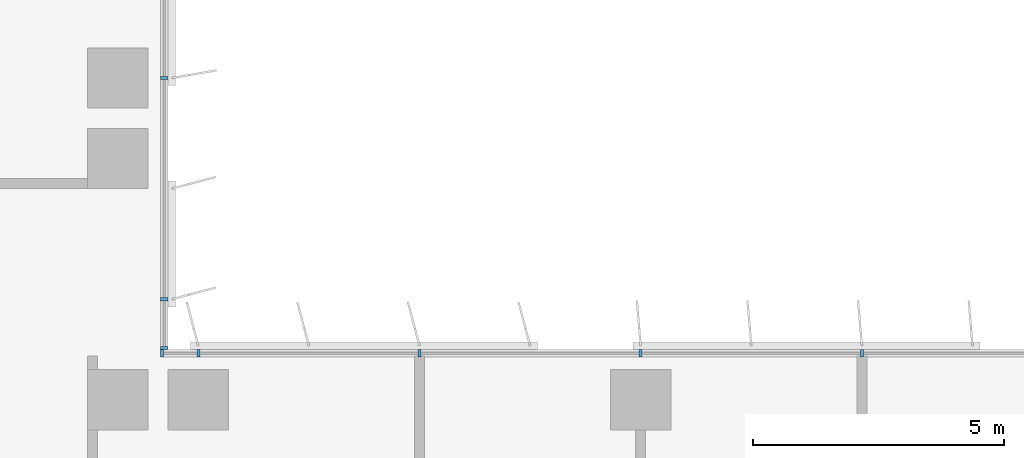
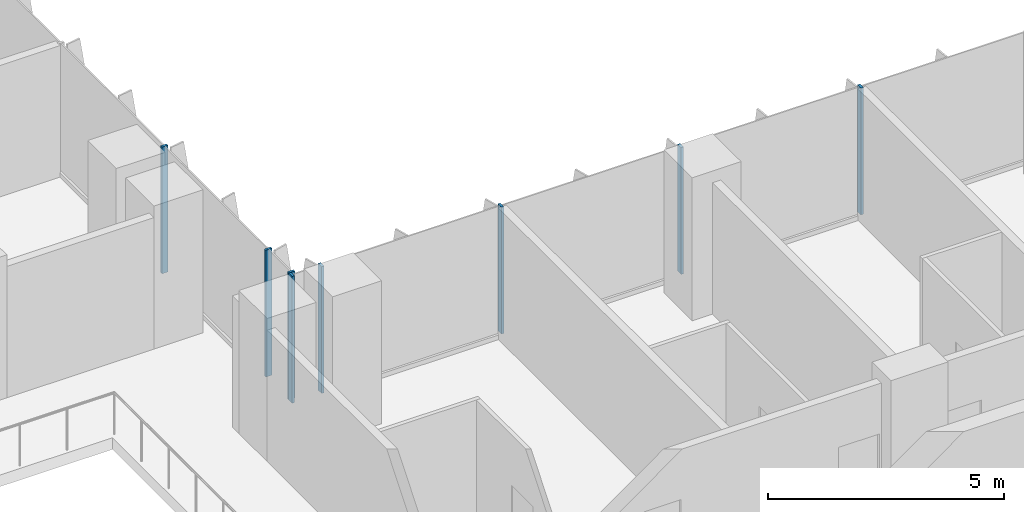
# One storey, part 2 of 22: 8 members, 2 elements without a shape of their own.
"""IFC4 building model written with IfcOpenShell, lengths in metres."""

from ifc_helpers import new_model, si_unit, direction, frame, origin, origin_2d, place, context, subcontext, project, spatial, rectangle, extrude, source, transform, mapped, material, material_profile, profile_set, type_object, element, aggregate, save


model = new_model("IFC4")

# Units and contexts
model_context = context("Model", 3, precision=1e-05, world=origin(), true_north=direction((0.0, 1.0)))
body_context = subcontext(model_context, "Body", "Model", "MODEL_VIEW")
ifc_project = project(units=[si_unit("LENGTHUNIT", "METRE"), si_unit("AREAUNIT", "SQUARE_METRE"), si_unit("VOLUMEUNIT", "CUBIC_METRE"), si_unit("PLANEANGLEUNIT", "RADIAN"), si_unit("MASSUNIT", "GRAM", prefix="KILO")], contexts=[model_context])

# Site, building, storey
site_placement = place(None, origin())
site = spatial("IfcSite", under=ifc_project, at=site_placement, CompositionType="ELEMENT")
building_placement = place(site_placement, origin())
building = spatial("IfcBuilding", under=site, at=building_placement, Name="Kemantara Hotel Tower", CompositionType="ELEMENT")
storey_placement = place(building_placement, frame((0.0, 0.0, 107.39990234375)))
storey = spatial("IfcBuildingStorey", under=building, at=storey_placement, Name="L25", CompositionType="ELEMENT", Elevation=107.39990234375)

# Curtain wall, members
ifc_material_1 = material(Name="Low-E tinted double insulated glass 36 mm", Category="glass")
curtain_wall_type = type_object("IfcCurtainWallType", Name="TOWER CURTAIN WALL, FRONT FACES", PredefinedType="USERDEFINED", material=ifc_material_1)
curtain_wall_1_placement = place(storey_placement, origin())
curtain_wall_1 = element("IfcCurtainWall", 1, at=curtain_wall_1_placement, inside=storey, type_object=curtain_wall_type, Name="CW4 L25 T2-R13-1", ObjectType="TOWER CURTAIN WALL, FRONT FACES", PredefinedType="USERDEFINED")
ifc_material_2 = material(Name="Aluminium 6063-T6 bronze anodised", Category="aluminium")
ifc_material_profile = material_profile(ifc_material_2, rectangle(XDim=0.14990234375, YDim=0.06005859375, at=origin_2d()), Name="TOWER CURTAIN WALL, FRONT FACES MULLION")
ifc_profile_set = profile_set([ifc_material_profile], Name="Aluminium 6063-T6 bronze anodised")
member_type = type_object("IfcMemberType", Name="TOWER CURTAIN WALL, FRONT FACES MULLION", PredefinedType="MULLION", material=ifc_profile_set)
shared_shape = source(origin(), body_context, "Body", "SweptSolid", [
    extrude(rectangle(XDim=0.14990234375, YDim=0.06005859375, at=origin_2d()), origin(), (0.0, 0.0, 1.0), 3.280029296875),
])
member_1_placement = place(storey_placement, frame((40.60009765625, 21.925048828125, 0.1201171875), z_axis=(0.0, 0.0, 1.0), x_axis=(0.0, -1.0, 0.0)))
member_1 = element("IfcMember", 2, at=member_1_placement, type_object=member_type, Name="CW4 mullion T2-R13-1.6", PredefinedType="MULLION", context=body_context, shape_type="MappedRepresentation", body=[
    mapped(shared_shape, transform((0.0, 0.0, 0.0))),
])
member_2_placement = place(storey_placement, frame((36.199951171875, 21.925048828125, 0.1201171875), z_axis=(0.0, 0.0, 1.0), x_axis=(0.0, -1.0, 0.0)))
member_2 = element("IfcMember", 3, at=member_2_placement, type_object=member_type, Name="CW4 mullion T2-R13-1.7", PredefinedType="MULLION", context=body_context, shape_type="MappedRepresentation", body=[
    mapped(shared_shape, transform((0.0, 0.0, 0.0))),
])
member_3_placement = place(storey_placement, frame((31.800048828125, 21.925048828125, 0.1201171875), z_axis=(0.0, 0.0, 1.0), x_axis=(0.0, -1.0, 0.0)))
member_3 = element("IfcMember", 4, at=member_3_placement, type_object=member_type, Name="CW4 mullion T2-R13-1.8", PredefinedType="MULLION", context=body_context, shape_type="MappedRepresentation", body=[
    mapped(shared_shape, transform((0.0, 0.0, 0.0))),
])
member_4_placement = place(storey_placement, frame((27.39990234375, 21.925048828125, 0.1201171875), z_axis=(0.0, 0.0, 1.0), x_axis=(0.0, -1.0, 0.0)))
member_4 = element("IfcMember", 5, at=member_4_placement, type_object=member_type, Name="CW4 mullion T2-R13-1.9", PredefinedType="MULLION", context=body_context, shape_type="MappedRepresentation", body=[
    mapped(shared_shape, transform((0.0, 0.0, 0.0))),
])
member_5_placement = place(storey_placement, frame((26.679931640625, 21.925048828125, 0.1201171875), z_axis=(0.0, 0.0, 1.0), x_axis=(0.0, -1.0, 0.0)))
member_5 = element("IfcMember", 6, at=member_5_placement, type_object=member_type, Name="CW4 mullion T2-R13-1.10", PredefinedType="MULLION", context=body_context, shape_type="MappedRepresentation", body=[
    mapped(shared_shape, transform((0.0, 0.0, 0.0))),
])
aggregate(curtain_wall_1, [member_1, member_2, member_3, member_4, member_5])

curtain_wall_2_placement = place(storey_placement, origin())
curtain_wall_2 = element("IfcCurtainWall", 7, at=curtain_wall_2_placement, inside=storey, type_object=curtain_wall_type, Name="CW4 L25 T2-R14-1", ObjectType="TOWER CURTAIN WALL, FRONT FACES", PredefinedType="USERDEFINED")
member_6_placement = place(storey_placement, frame((26.72509765625, 22.030029296875, 0.1201171875), z_axis=(0.0, 0.0, 1.0), x_axis=(-1.0, 0.0, 0.0)))
member_6 = element("IfcMember", 8, at=member_6_placement, type_object=member_type, Name="CW4 mullion T2-R14-1.1", PredefinedType="MULLION", context=body_context, shape_type="MappedRepresentation", body=[
    mapped(shared_shape, transform((0.0, 0.0, 0.0))),
])
member_7_placement = place(storey_placement, frame((26.72509765625, 23.0, 0.1201171875), z_axis=(0.0, 0.0, 1.0), x_axis=(-1.0, 0.0, 0.0)))
member_7 = element("IfcMember", 9, at=member_7_placement, type_object=member_type, Name="CW4 mullion T2-R14-1.2", PredefinedType="MULLION", context=body_context, shape_type="MappedRepresentation", body=[
    mapped(shared_shape, transform((0.0, 0.0, 0.0))),
])
member_8_placement = place(storey_placement, frame((26.72509765625, 27.39990234375, 0.1201171875), z_axis=(0.0, 0.0, 1.0), x_axis=(-1.0, 0.0, 0.0)))
member_8 = element("IfcMember", 10, at=member_8_placement, type_object=member_type, Name="CW4 mullion T2-R14-1.3", PredefinedType="MULLION", context=body_context, shape_type="MappedRepresentation", body=[
    mapped(shared_shape, transform((0.0, 0.0, 0.0))),
])
aggregate(curtain_wall_2, [member_6, member_7, member_8])

save(model, "model.ifc")
